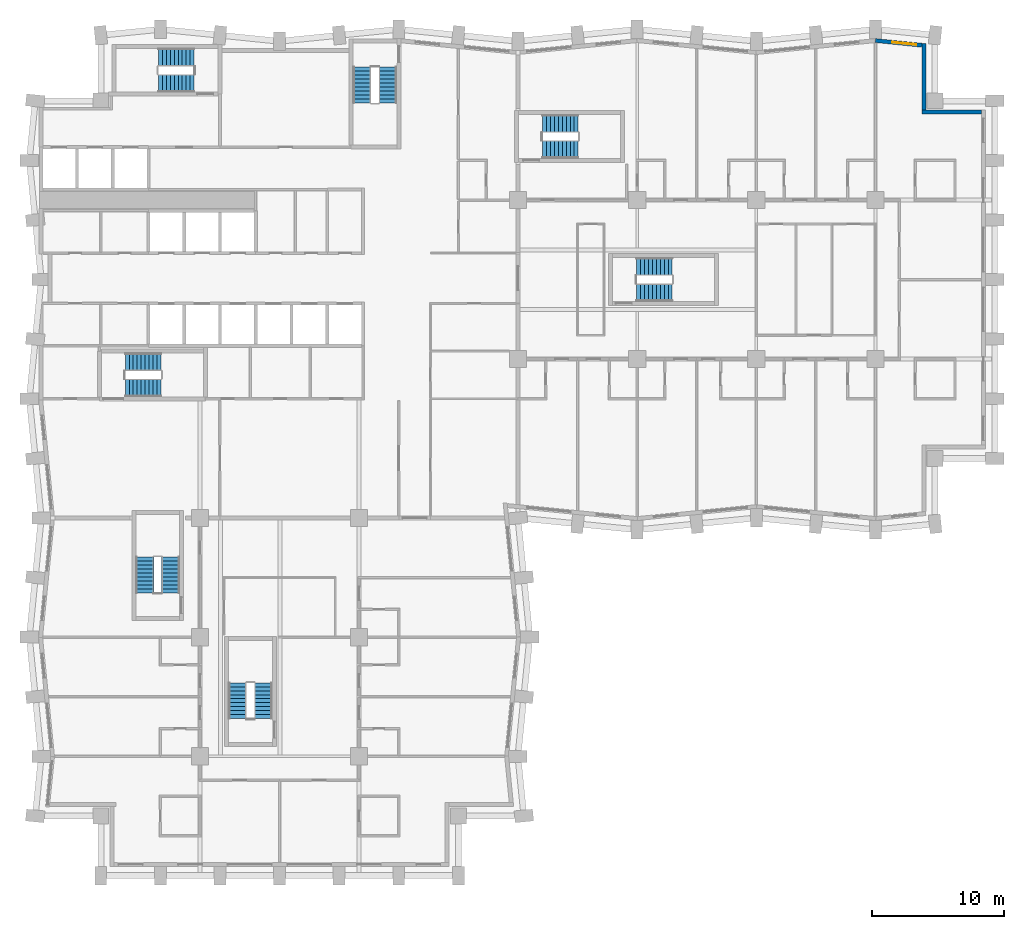
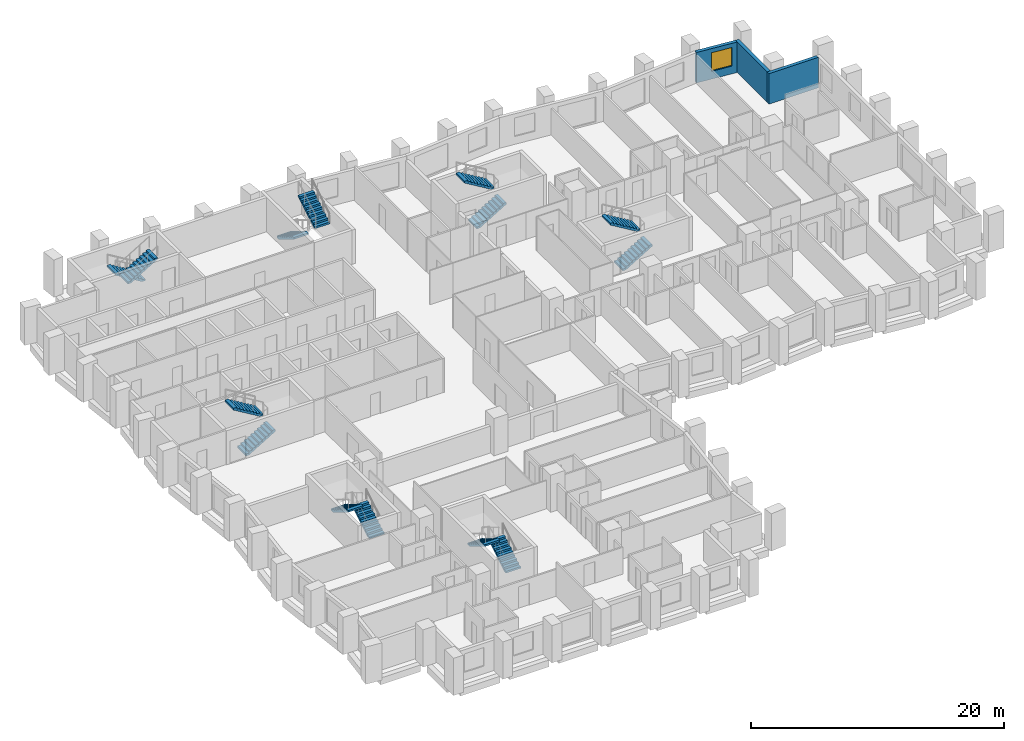
# One storey, part 11 of 13: 14 stair flights, 3 walls, 1 window, 1 opening, 7 elements without a shape of their own.
"""IFC4 building model written with IfcOpenShell, lengths in metres."""

from ifc_helpers import new_model, si_unit, direction, frame, frame_2d, origin, place, context, subcontext, project, spatial, polyline, rectangle, outline, extrude, material, layer, layer_set, type_object, element, fill, aggregate, save


model = new_model("IFC4")

# Units and contexts
model_context = context("Model", 3, precision=1e-05, world=origin(), true_north=direction((0.0, 1.0)))
body_context = subcontext(model_context, "Body", "Model", "MODEL_VIEW")
ifc_project = project(units=[si_unit("LENGTHUNIT", "METRE"), si_unit("AREAUNIT", "SQUARE_METRE"), si_unit("VOLUMEUNIT", "CUBIC_METRE"), si_unit("PLANEANGLEUNIT", "RADIAN"), si_unit("MASSUNIT", "GRAM", prefix="KILO")], contexts=[model_context])

# Site, building, storey
site_placement = place(None, origin())
site = spatial("IfcSite", under=ifc_project, at=site_placement, CompositionType="ELEMENT")
building_placement = place(site_placement, origin())
building = spatial("IfcBuilding", under=site, at=building_placement, Name="Brondeck Convention Tower", CompositionType="ELEMENT")
storey_placement = place(building_placement, frame((0.0, 0.0, 41.10009765625)))
storey = spatial("IfcBuildingStorey", under=building, at=storey_placement, Name="L07", CompositionType="ELEMENT", Elevation=41.10009765625)

# Walls
ifc_material_1 = material(Name="Precast concrete C50/60 bronze finish", Category="concrete")
ifc_layer_1 = layer(ifc_material_1, 0.070068359375, Name="Bronze precast facing")
ifc_material_2 = material(Name="Mineral wool")
ifc_layer_2 = layer(ifc_material_2, 0.159912109375, Name="Insulation")
ifc_material_3 = material(Name="Concrete C35/45", Category="concrete")
ifc_layer_3 = layer(ifc_material_3, 0.070068359375, Name="Backing")
ifc_layer_set = layer_set([ifc_layer_1, ifc_layer_2, ifc_layer_3], Name="External infill wall, precast concrete C50/60 bronze facing")
wall_type = type_object("IfcWallType", Name="External infill wall, precast concrete C50/60 bronze facing", PredefinedType="SOLIDWALL", material=ifc_layer_set)
wall_1_placement = place(storey_placement, frame((66.5, 57.64990234375, 0.0), z_axis=(0.0, 0.0, 1.0), x_axis=(1.0, 0.0, 0.0)))
element("IfcWall", 1, at=wall_1_placement, inside=storey, type_object=wall_type, Name="ENV-EW-L07-P0-NC-NEA72-01", PredefinedType="SOLIDWALL", context=body_context, shape_type="SweptSolid", body=[
    extrude(rectangle(XDim=4.5, YDim=0.300048828125, at=frame_2d((2.25, 0.0))), origin(), (0.0, 0.0, 1.0), 2.949951171875),
])
wall_2_placement = place(storey_placement, frame((66.64990234375, 62.81640625, 0.0), z_axis=(0.0, 0.0, 1.0), x_axis=(0.0, -1.0, 0.0)))
element("IfcWall", 2, at=wall_2_placement, inside=storey, type_object=wall_type, Name="ENV-EW-L07-P0-NC-NEA72-02", PredefinedType="SOLIDWALL", context=body_context, shape_type="SweptSolid", body=[
    extrude(rectangle(XDim=5.018310546875, YDim=0.300048828125, at=frame_2d((2.50927734375, 0.0))), origin(), (0.0, 0.0, 1.0), 2.949951171875),
])

# Wall, opening, window
wall_3_placement = place(storey_placement, frame((62.985107421875, 63.04736328125, 0.0), z_axis=(0.0, 0.0, 1.0), x_axis=(0.995031712439, -0.099558481511, 0.0)))
wall_3 = element("IfcWall", 3, at=wall_3_placement, inside=storey, type_object=wall_type, Name="ENV-EW-L07-P0-A-N-14", PredefinedType="SOLIDWALL", context=body_context, shape_type="SweptSolid", body=[
    extrude(rectangle(XDim=3.53125, YDim=0.300048828125, at=frame_2d((1.765625, 0.0))), origin(), (0.0, 0.0, 1.0), 2.949951171875),
])
opening_placement = place(wall_3_placement, frame((1.291259765625, 0.0, 0.75)))
opening = element("IfcOpeningElement", 4, at=opening_placement, cuts=wall_3, Name="Opening W10", PredefinedType="OPENING", context=body_context, shape_type="SweptSolid", body=[
    extrude(rectangle(XDim=1.800048828125, YDim=1.800048828125, at=frame_2d((0.89990234375, 0.89990234375))), frame((0.0, 0.159912109375, 0.0), z_axis=(0.0, -1.0, 0.0), x_axis=(1.0, 0.0, 0.0)), (0.0, 0.0, 1.0), 0.320068359375),
])
ifc_material_4 = material(Name="Bronze tinted double glazing", Category="glass")
window_type = type_object("IfcWindowType", Name="Punched window, bronze tinted", PartitioningType="SINGLE_PANEL", PredefinedType="WINDOW", material=ifc_material_4)
window_placement = place(opening_placement, origin())
window = element("IfcWindow", 5, at=window_placement, inside=storey, type_object=window_type, Name="ENV-WN-L07-P0-A-N-14", OverallHeight=1.800048828125, OverallWidth=1.800048828125, PartitioningType="SINGLE_PANEL", PredefinedType="WINDOW", context=body_context, shape_type="SweptSolid", body=[
    extrude(rectangle(XDim=1.800048828125, YDim=1.800048828125, at=frame_2d((0.89990234375, 0.89990234375))), frame((0.0, 0.030029296875, 0.0), z_axis=(0.0, -1.0, 0.0), x_axis=(1.0, 0.0, 0.0)), (0.0, 0.0, 1.0), 0.06005859375),
])
fill(opening, window)

# Stair, stair flights
ifc_material_5 = material(Name="Precast concrete C50/60", Category="concrete")
stair_type = type_object("IfcStairType", Name="Core stair 20 risers 180.00 mm riser 300 mm going 1350 wide", PredefinedType="HALF_TURN_STAIR", material=ifc_material_5)
stair_1_placement = place(storey_placement, origin())
stair_1 = element("IfcStair", 6, at=stair_1_placement, inside=storey, type_object=stair_type, Name="ST-1 L07 stair", PredefinedType="HALF_TURN_STAIR")
stair_flight_type = type_object("IfcStairFlightType", Name="Core stair flight 20 risers 180.00 mm riser 300 mm going 1350 wide", PredefinedType="STRAIGHT", material=ifc_material_5)
stair_flight_1_placement = place(storey_placement, frame((6.35009765625, 36.824951171875, 0.0), z_axis=(0.0, 0.0, 1.0), x_axis=(1.0, 0.0, 0.0)))
stair_flight_1 = element("IfcStairFlight", 7, at=stair_flight_1_placement, type_object=stair_flight_type, Name="ST-1 flight 1", NumberOfRisers=10, NumberOfTreads=9, PredefinedType="STRAIGHT", RiserHeight=0.18, TreadLength=0.3, context=body_context, shape_type="SweptSolid", body=[
    extrude(outline(polyline([(0.0, 0.0), (0.0, 0.179931640625), (0.300048828125, 0.179931640625), (0.300048828125, 0.360107421875), (0.60009765625, 0.360107421875), (0.60009765625, 0.5400390625), (0.89990234375, 0.5400390625), (0.89990234375, 0.719970703125), (1.199951171875, 0.719970703125), (1.199951171875, 0.89990234375), (1.5, 0.89990234375), (1.5, 1.080078125), (1.800048828125, 1.080078125), (1.800048828125, 1.260009765625), (2.10009765625, 1.260009765625), (2.10009765625, 1.43994140625), (2.39990234375, 1.43994140625), (2.39990234375, 1.6201171875), (2.699951171875, 1.6201171875), (2.699951171875, 1.800048828125), (2.699951171875, 1.445068359375), (0.291259765625, 0.0), (0.0, 0.0)])), frame((0.0, 0.675048828125, 0.0), z_axis=(0.0, -1.0, 0.0), x_axis=(1.0, 0.0, 0.0)), (0.0, 0.0, 1.0), 1.35009765625),
])
stair_flight_2_placement = place(storey_placement, frame((9.050048828125, 38.77490234375, 1.7998046875), z_axis=(0.0, 0.0, 1.0), x_axis=(-1.0, 0.0, 0.0)))
stair_flight_2 = element("IfcStairFlight", 8, at=stair_flight_2_placement, type_object=stair_flight_type, Name="ST-1 flight 2", NumberOfRisers=10, NumberOfTreads=9, PredefinedType="STRAIGHT", RiserHeight=0.18, TreadLength=0.3, context=body_context, shape_type="SweptSolid", body=[
    extrude(outline(polyline([(0.0, 0.0), (0.0, 0.179931640625), (0.300048828125, 0.179931640625), (0.300048828125, 0.360107421875), (0.60009765625, 0.360107421875), (0.60009765625, 0.5400390625), (0.89990234375, 0.5400390625), (0.89990234375, 0.719970703125), (1.199951171875, 0.719970703125), (1.199951171875, 0.89990234375), (1.5, 0.89990234375), (1.5, 1.080078125), (1.800048828125, 1.080078125), (1.800048828125, 1.260009765625), (2.10009765625, 1.260009765625), (2.10009765625, 1.43994140625), (2.39990234375, 1.43994140625), (2.39990234375, 1.6201171875), (2.699951171875, 1.6201171875), (2.699951171875, 1.800048828125), (2.699951171875, 1.445068359375), (0.291259765625, 0.0), (0.0, 0.0)])), frame((0.0, 0.675048828125, 0.0), z_axis=(0.0, -1.0, 0.0), x_axis=(1.0, 0.0, 0.0)), (0.0, 0.0, 1.0), 1.35009765625),
])
aggregate(stair_1, [stair_flight_1, stair_flight_2])

stair_2_placement = place(storey_placement, origin())
stair_2 = element("IfcStair", 9, at=stair_2_placement, inside=storey, type_object=stair_type, Name="ST-2 L07 stair", PredefinedType="HALF_TURN_STAIR")
stair_flight_3_placement = place(storey_placement, frame((24.22509765625, 61.050048828125, 0.0), z_axis=(0.0, 0.0, 1.0), x_axis=(0.0, -1.0, 0.0)))
stair_flight_3 = element("IfcStairFlight", 10, at=stair_flight_3_placement, type_object=stair_flight_type, Name="ST-2 flight 1", NumberOfRisers=10, NumberOfTreads=9, PredefinedType="STRAIGHT", RiserHeight=0.18, TreadLength=0.3, context=body_context, shape_type="SweptSolid", body=[
    extrude(outline(polyline([(0.0, 0.0), (0.0, 0.179931640625), (0.300048828125, 0.179931640625), (0.300048828125, 0.360107421875), (0.60009765625, 0.360107421875), (0.60009765625, 0.5400390625), (0.89990234375, 0.5400390625), (0.89990234375, 0.719970703125), (1.199951171875, 0.719970703125), (1.199951171875, 0.89990234375), (1.5, 0.89990234375), (1.5, 1.080078125), (1.800048828125, 1.080078125), (1.800048828125, 1.260009765625), (2.10009765625, 1.260009765625), (2.10009765625, 1.43994140625), (2.39990234375, 1.43994140625), (2.39990234375, 1.6201171875), (2.699951171875, 1.6201171875), (2.699951171875, 1.800048828125), (2.699951171875, 1.445068359375), (0.291259765625, 0.0), (0.0, 0.0)])), frame((0.0, 0.675048828125, 0.0), z_axis=(0.0, -1.0, 0.0), x_axis=(1.0, 0.0, 0.0)), (0.0, 0.0, 1.0), 1.35009765625),
])
stair_flight_4_placement = place(storey_placement, frame((26.175048828125, 58.35009765625, 1.7998046875), z_axis=(0.0, 0.0, 1.0), x_axis=(0.0, 1.0, 0.0)))
stair_flight_4 = element("IfcStairFlight", 11, at=stair_flight_4_placement, type_object=stair_flight_type, Name="ST-2 flight 2", NumberOfRisers=10, NumberOfTreads=9, PredefinedType="STRAIGHT", RiserHeight=0.18, TreadLength=0.3, context=body_context, shape_type="SweptSolid", body=[
    extrude(outline(polyline([(0.0, 0.0), (0.0, 0.179931640625), (0.300048828125, 0.179931640625), (0.300048828125, 0.360107421875), (0.60009765625, 0.360107421875), (0.60009765625, 0.5400390625), (0.89990234375, 0.5400390625), (0.89990234375, 0.719970703125), (1.199951171875, 0.719970703125), (1.199951171875, 0.89990234375), (1.5, 0.89990234375), (1.5, 1.080078125), (1.800048828125, 1.080078125), (1.800048828125, 1.260009765625), (2.10009765625, 1.260009765625), (2.10009765625, 1.43994140625), (2.39990234375, 1.43994140625), (2.39990234375, 1.6201171875), (2.699951171875, 1.6201171875), (2.699951171875, 1.800048828125), (2.699951171875, 1.445068359375), (0.291259765625, 0.0), (0.0, 0.0)])), frame((0.0, 0.675048828125, 0.0), z_axis=(0.0, -1.0, 0.0), x_axis=(1.0, 0.0, 0.0)), (0.0, 0.0, 1.0), 1.35009765625),
])
aggregate(stair_2, [stair_flight_3, stair_flight_4])

stair_3_placement = place(storey_placement, origin())
stair_3 = element("IfcStair", 12, at=stair_3_placement, inside=storey, type_object=stair_type, Name="ST-3 L07 stair", PredefinedType="HALF_TURN_STAIR")
stair_flight_5_placement = place(storey_placement, frame((11.550048828125, 61.77490234375, 0.0), z_axis=(0.0, 0.0, 1.0), x_axis=(-1.0, 0.0, 0.0)))
stair_flight_5 = element("IfcStairFlight", 13, at=stair_flight_5_placement, type_object=stair_flight_type, Name="ST-3 flight 1", NumberOfRisers=10, NumberOfTreads=9, PredefinedType="STRAIGHT", RiserHeight=0.18, TreadLength=0.3, context=body_context, shape_type="SweptSolid", body=[
    extrude(outline(polyline([(0.0, 0.0), (0.0, 0.179931640625), (0.300048828125, 0.179931640625), (0.300048828125, 0.360107421875), (0.60009765625, 0.360107421875), (0.60009765625, 0.5400390625), (0.89990234375, 0.5400390625), (0.89990234375, 0.719970703125), (1.199951171875, 0.719970703125), (1.199951171875, 0.89990234375), (1.5, 0.89990234375), (1.5, 1.080078125), (1.800048828125, 1.080078125), (1.800048828125, 1.260009765625), (2.10009765625, 1.260009765625), (2.10009765625, 1.43994140625), (2.39990234375, 1.43994140625), (2.39990234375, 1.6201171875), (2.699951171875, 1.6201171875), (2.699951171875, 1.800048828125), (2.699951171875, 1.445068359375), (0.291259765625, 0.0), (0.0, 0.0)])), frame((0.0, 0.675048828125, 0.0), z_axis=(0.0, -1.0, 0.0), x_axis=(1.0, 0.0, 0.0)), (0.0, 0.0, 1.0), 1.35009765625),
])
stair_flight_6_placement = place(storey_placement, frame((8.85009765625, 59.824951171875, 1.7998046875), z_axis=(0.0, 0.0, 1.0), x_axis=(1.0, 0.0, 0.0)))
stair_flight_6 = element("IfcStairFlight", 14, at=stair_flight_6_placement, type_object=stair_flight_type, Name="ST-3 flight 2", NumberOfRisers=10, NumberOfTreads=9, PredefinedType="STRAIGHT", RiserHeight=0.18, TreadLength=0.3, context=body_context, shape_type="SweptSolid", body=[
    extrude(outline(polyline([(0.0, 0.0), (0.0, 0.179931640625), (0.300048828125, 0.179931640625), (0.300048828125, 0.360107421875), (0.60009765625, 0.360107421875), (0.60009765625, 0.5400390625), (0.89990234375, 0.5400390625), (0.89990234375, 0.719970703125), (1.199951171875, 0.719970703125), (1.199951171875, 0.89990234375), (1.5, 0.89990234375), (1.5, 1.080078125), (1.800048828125, 1.080078125), (1.800048828125, 1.260009765625), (2.10009765625, 1.260009765625), (2.10009765625, 1.43994140625), (2.39990234375, 1.43994140625), (2.39990234375, 1.6201171875), (2.699951171875, 1.6201171875), (2.699951171875, 1.800048828125), (2.699951171875, 1.445068359375), (0.291259765625, 0.0), (0.0, 0.0)])), frame((0.0, 0.675048828125, 0.0), z_axis=(0.0, -1.0, 0.0), x_axis=(1.0, 0.0, 0.0)), (0.0, 0.0, 1.0), 1.35009765625),
])
aggregate(stair_3, [stair_flight_5, stair_flight_6])

stair_4_placement = place(storey_placement, origin())
stair_4 = element("IfcStair", 15, at=stair_4_placement, inside=storey, type_object=stair_type, Name="ST-AE L07 stair", PredefinedType="HALF_TURN_STAIR")
stair_flight_7_placement = place(storey_placement, frame((37.85009765625, 54.824951171875, 0.0), z_axis=(0.0, 0.0, 1.0), x_axis=(1.0, 0.0, 0.0)))
stair_flight_7 = element("IfcStairFlight", 16, at=stair_flight_7_placement, type_object=stair_flight_type, Name="ST-AE flight 1", NumberOfRisers=10, NumberOfTreads=9, PredefinedType="STRAIGHT", RiserHeight=0.18, TreadLength=0.3, context=body_context, shape_type="SweptSolid", body=[
    extrude(outline(polyline([(0.0, 0.0), (0.0, 0.179931640625), (0.300048828125, 0.179931640625), (0.300048828125, 0.360107421875), (0.60009765625, 0.360107421875), (0.60009765625, 0.5400390625), (0.89990234375, 0.5400390625), (0.89990234375, 0.719970703125), (1.199951171875, 0.719970703125), (1.199951171875, 0.89990234375), (1.5, 0.89990234375), (1.5, 1.080078125), (1.800048828125, 1.080078125), (1.800048828125, 1.260009765625), (2.10009765625, 1.260009765625), (2.10009765625, 1.43994140625), (2.39990234375, 1.43994140625), (2.39990234375, 1.6201171875), (2.699951171875, 1.6201171875), (2.699951171875, 1.800048828125), (2.699951171875, 1.445068359375), (0.291259765625, 0.0), (0.0, 0.0)])), frame((0.0, 0.675048828125, 0.0), z_axis=(0.0, -1.0, 0.0), x_axis=(1.0, 0.0, 0.0)), (0.0, 0.0, 1.0), 1.35009765625),
])
stair_flight_8_placement = place(storey_placement, frame((40.550048828125, 56.77490234375, 1.7998046875), z_axis=(0.0, 0.0, 1.0), x_axis=(-1.0, 0.0, 0.0)))
stair_flight_8 = element("IfcStairFlight", 17, at=stair_flight_8_placement, type_object=stair_flight_type, Name="ST-AE flight 2", NumberOfRisers=10, NumberOfTreads=9, PredefinedType="STRAIGHT", RiserHeight=0.18, TreadLength=0.3, context=body_context, shape_type="SweptSolid", body=[
    extrude(outline(polyline([(0.0, 0.0), (0.0, 0.179931640625), (0.300048828125, 0.179931640625), (0.300048828125, 0.360107421875), (0.60009765625, 0.360107421875), (0.60009765625, 0.5400390625), (0.89990234375, 0.5400390625), (0.89990234375, 0.719970703125), (1.199951171875, 0.719970703125), (1.199951171875, 0.89990234375), (1.5, 0.89990234375), (1.5, 1.080078125), (1.800048828125, 1.080078125), (1.800048828125, 1.260009765625), (2.10009765625, 1.260009765625), (2.10009765625, 1.43994140625), (2.39990234375, 1.43994140625), (2.39990234375, 1.6201171875), (2.699951171875, 1.6201171875), (2.699951171875, 1.800048828125), (2.699951171875, 1.445068359375), (0.291259765625, 0.0), (0.0, 0.0)])), frame((0.0, 0.675048828125, 0.0), z_axis=(0.0, -1.0, 0.0), x_axis=(1.0, 0.0, 0.0)), (0.0, 0.0, 1.0), 1.35009765625),
])
aggregate(stair_4, [stair_flight_7, stair_flight_8])

stair_5_placement = place(storey_placement, origin())
stair_5 = element("IfcStair", 18, at=stair_5_placement, inside=storey, type_object=stair_type, Name="ST-BE L07 stair", PredefinedType="HALF_TURN_STAIR")
stair_flight_9_placement = place(storey_placement, frame((9.77490234375, 21.35009765625, 0.0), z_axis=(0.0, 0.0, 1.0), x_axis=(0.0, 1.0, 0.0)))
stair_flight_9 = element("IfcStairFlight", 19, at=stair_flight_9_placement, type_object=stair_flight_type, Name="ST-BE flight 1", NumberOfRisers=10, NumberOfTreads=9, PredefinedType="STRAIGHT", RiserHeight=0.18, TreadLength=0.3, context=body_context, shape_type="SweptSolid", body=[
    extrude(outline(polyline([(0.0, 0.0), (0.0, 0.179931640625), (0.300048828125, 0.179931640625), (0.300048828125, 0.360107421875), (0.60009765625, 0.360107421875), (0.60009765625, 0.5400390625), (0.89990234375, 0.5400390625), (0.89990234375, 0.719970703125), (1.199951171875, 0.719970703125), (1.199951171875, 0.89990234375), (1.5, 0.89990234375), (1.5, 1.080078125), (1.800048828125, 1.080078125), (1.800048828125, 1.260009765625), (2.10009765625, 1.260009765625), (2.10009765625, 1.43994140625), (2.39990234375, 1.43994140625), (2.39990234375, 1.6201171875), (2.699951171875, 1.6201171875), (2.699951171875, 1.800048828125), (2.699951171875, 1.445068359375), (0.291259765625, 0.0), (0.0, 0.0)])), frame((0.0, 0.675048828125, 0.0), z_axis=(0.0, -1.0, 0.0), x_axis=(1.0, 0.0, 0.0)), (0.0, 0.0, 1.0), 1.35009765625),
])
stair_flight_10_placement = place(storey_placement, frame((7.824951171875, 24.050048828125, 1.7998046875), z_axis=(0.0, 0.0, 1.0), x_axis=(0.0, -1.0, 0.0)))
stair_flight_10 = element("IfcStairFlight", 20, at=stair_flight_10_placement, type_object=stair_flight_type, Name="ST-BE flight 2", NumberOfRisers=10, NumberOfTreads=9, PredefinedType="STRAIGHT", RiserHeight=0.18, TreadLength=0.3, context=body_context, shape_type="SweptSolid", body=[
    extrude(outline(polyline([(0.0, 0.0), (0.0, 0.179931640625), (0.300048828125, 0.179931640625), (0.300048828125, 0.360107421875), (0.60009765625, 0.360107421875), (0.60009765625, 0.5400390625), (0.89990234375, 0.5400390625), (0.89990234375, 0.719970703125), (1.199951171875, 0.719970703125), (1.199951171875, 0.89990234375), (1.5, 0.89990234375), (1.5, 1.080078125), (1.800048828125, 1.080078125), (1.800048828125, 1.260009765625), (2.10009765625, 1.260009765625), (2.10009765625, 1.43994140625), (2.39990234375, 1.43994140625), (2.39990234375, 1.6201171875), (2.699951171875, 1.6201171875), (2.699951171875, 1.800048828125), (2.699951171875, 1.445068359375), (0.291259765625, 0.0), (0.0, 0.0)])), frame((0.0, 0.675048828125, 0.0), z_axis=(0.0, -1.0, 0.0), x_axis=(1.0, 0.0, 0.0)), (0.0, 0.0, 1.0), 1.35009765625),
])
aggregate(stair_5, [stair_flight_9, stair_flight_10])

stair_6_placement = place(storey_placement, origin())
stair_6 = element("IfcStair", 21, at=stair_6_placement, inside=storey, type_object=stair_type, Name="ST-AF L07 stair", PredefinedType="HALF_TURN_STAIR")
stair_flight_11_placement = place(storey_placement, frame((44.949951171875, 44.02490234375, 0.0), z_axis=(0.0, 0.0, 1.0), x_axis=(1.0, 0.0, 0.0)))
stair_flight_11 = element("IfcStairFlight", 22, at=stair_flight_11_placement, type_object=stair_flight_type, Name="ST-AF flight 1", NumberOfRisers=10, NumberOfTreads=9, PredefinedType="STRAIGHT", RiserHeight=0.18, TreadLength=0.3, context=body_context, shape_type="SweptSolid", body=[
    extrude(outline(polyline([(0.0, 0.0), (0.0, 0.179931640625), (0.300048828125, 0.179931640625), (0.300048828125, 0.360107421875), (0.60009765625, 0.360107421875), (0.60009765625, 0.5400390625), (0.89990234375, 0.5400390625), (0.89990234375, 0.719970703125), (1.199951171875, 0.719970703125), (1.199951171875, 0.89990234375), (1.5, 0.89990234375), (1.5, 1.080078125), (1.800048828125, 1.080078125), (1.800048828125, 1.260009765625), (2.10009765625, 1.260009765625), (2.10009765625, 1.43994140625), (2.39990234375, 1.43994140625), (2.39990234375, 1.6201171875), (2.699951171875, 1.6201171875), (2.699951171875, 1.800048828125), (2.699951171875, 1.445068359375), (0.291259765625, 0.0), (0.0, 0.0)])), frame((0.0, 0.675048828125, 0.0), z_axis=(0.0, -1.0, 0.0), x_axis=(1.0, 0.0, 0.0)), (0.0, 0.0, 1.0), 1.35009765625),
])
stair_flight_12_placement = place(storey_placement, frame((47.64990234375, 45.97509765625, 1.7998046875), z_axis=(0.0, 0.0, 1.0), x_axis=(-1.0, 0.0, 0.0)))
stair_flight_12 = element("IfcStairFlight", 23, at=stair_flight_12_placement, type_object=stair_flight_type, Name="ST-AF flight 2", NumberOfRisers=10, NumberOfTreads=9, PredefinedType="STRAIGHT", RiserHeight=0.18, TreadLength=0.3, context=body_context, shape_type="SweptSolid", body=[
    extrude(outline(polyline([(0.0, 0.0), (0.0, 0.179931640625), (0.300048828125, 0.179931640625), (0.300048828125, 0.360107421875), (0.60009765625, 0.360107421875), (0.60009765625, 0.5400390625), (0.89990234375, 0.5400390625), (0.89990234375, 0.719970703125), (1.199951171875, 0.719970703125), (1.199951171875, 0.89990234375), (1.5, 0.89990234375), (1.5, 1.080078125), (1.800048828125, 1.080078125), (1.800048828125, 1.260009765625), (2.10009765625, 1.260009765625), (2.10009765625, 1.43994140625), (2.39990234375, 1.43994140625), (2.39990234375, 1.6201171875), (2.699951171875, 1.6201171875), (2.699951171875, 1.800048828125), (2.699951171875, 1.445068359375), (0.291259765625, 0.0), (0.0, 0.0)])), frame((0.0, 0.675048828125, 0.0), z_axis=(0.0, -1.0, 0.0), x_axis=(1.0, 0.0, 0.0)), (0.0, 0.0, 1.0), 1.35009765625),
])
aggregate(stair_6, [stair_flight_11, stair_flight_12])

stair_7_placement = place(storey_placement, origin())
stair_7 = element("IfcStair", 24, at=stair_7_placement, inside=storey, type_object=stair_type, Name="ST-BF L07 stair", PredefinedType="HALF_TURN_STAIR")
stair_flight_13_placement = place(storey_placement, frame((16.77490234375, 11.85009765625, 0.0), z_axis=(0.0, 0.0, 1.0), x_axis=(0.0, 1.0, 0.0)))
stair_flight_13 = element("IfcStairFlight", 25, at=stair_flight_13_placement, type_object=stair_flight_type, Name="ST-BF flight 1", NumberOfRisers=10, NumberOfTreads=9, PredefinedType="STRAIGHT", RiserHeight=0.18, TreadLength=0.3, context=body_context, shape_type="SweptSolid", body=[
    extrude(outline(polyline([(0.0, 0.0), (0.0, 0.179931640625), (0.300048828125, 0.179931640625), (0.300048828125, 0.360107421875), (0.60009765625, 0.360107421875), (0.60009765625, 0.5400390625), (0.89990234375, 0.5400390625), (0.89990234375, 0.719970703125), (1.199951171875, 0.719970703125), (1.199951171875, 0.89990234375), (1.5, 0.89990234375), (1.5, 1.080078125), (1.800048828125, 1.080078125), (1.800048828125, 1.260009765625), (2.10009765625, 1.260009765625), (2.10009765625, 1.43994140625), (2.39990234375, 1.43994140625), (2.39990234375, 1.6201171875), (2.699951171875, 1.6201171875), (2.699951171875, 1.800048828125), (2.699951171875, 1.445068359375), (0.291259765625, 0.0), (0.0, 0.0)])), frame((0.0, 0.675048828125, 0.0), z_axis=(0.0, -1.0, 0.0), x_axis=(1.0, 0.0, 0.0)), (0.0, 0.0, 1.0), 1.35009765625),
])
stair_flight_14_placement = place(storey_placement, frame((14.824951171875, 14.550048828125, 1.7998046875), z_axis=(0.0, 0.0, 1.0), x_axis=(0.0, -1.0, 0.0)))
stair_flight_14 = element("IfcStairFlight", 26, at=stair_flight_14_placement, type_object=stair_flight_type, Name="ST-BF flight 2", NumberOfRisers=10, NumberOfTreads=9, PredefinedType="STRAIGHT", RiserHeight=0.18, TreadLength=0.3, context=body_context, shape_type="SweptSolid", body=[
    extrude(outline(polyline([(0.0, 0.0), (0.0, 0.179931640625), (0.300048828125, 0.179931640625), (0.300048828125, 0.360107421875), (0.60009765625, 0.360107421875), (0.60009765625, 0.5400390625), (0.89990234375, 0.5400390625), (0.89990234375, 0.719970703125), (1.199951171875, 0.719970703125), (1.199951171875, 0.89990234375), (1.5, 0.89990234375), (1.5, 1.080078125), (1.800048828125, 1.080078125), (1.800048828125, 1.260009765625), (2.10009765625, 1.260009765625), (2.10009765625, 1.43994140625), (2.39990234375, 1.43994140625), (2.39990234375, 1.6201171875), (2.699951171875, 1.6201171875), (2.699951171875, 1.800048828125), (2.699951171875, 1.445068359375), (0.291259765625, 0.0), (0.0, 0.0)])), frame((0.0, 0.675048828125, 0.0), z_axis=(0.0, -1.0, 0.0), x_axis=(1.0, 0.0, 0.0)), (0.0, 0.0, 1.0), 1.35009765625),
])
aggregate(stair_7, [stair_flight_13, stair_flight_14])

save(model, "model.ifc")
